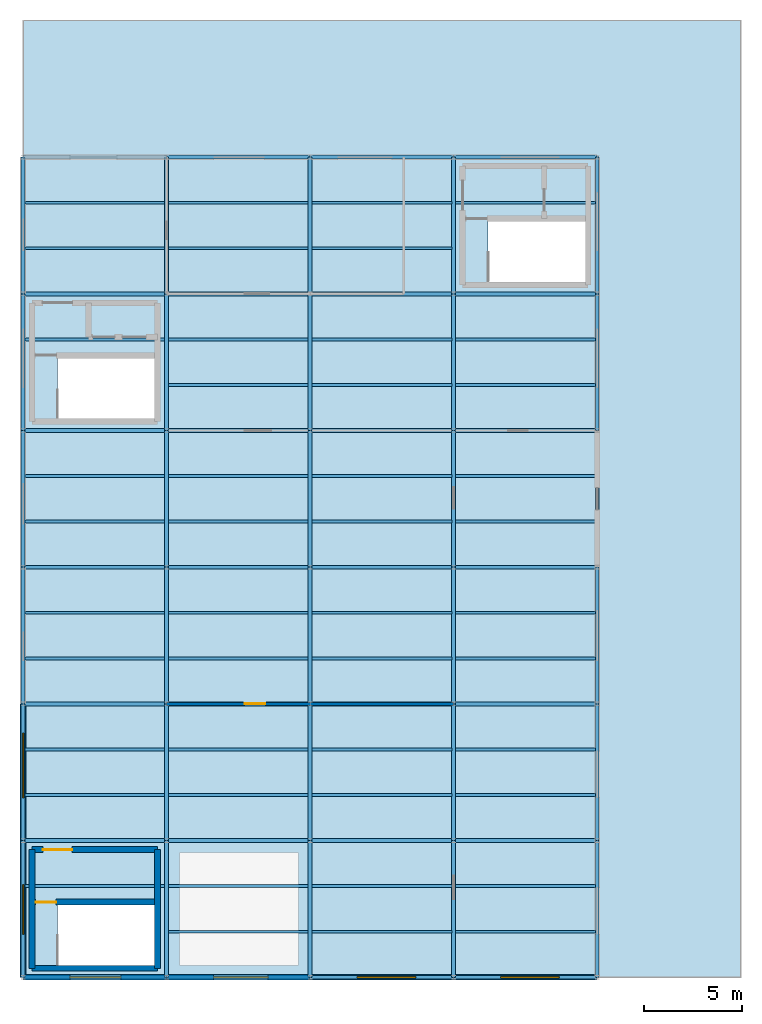
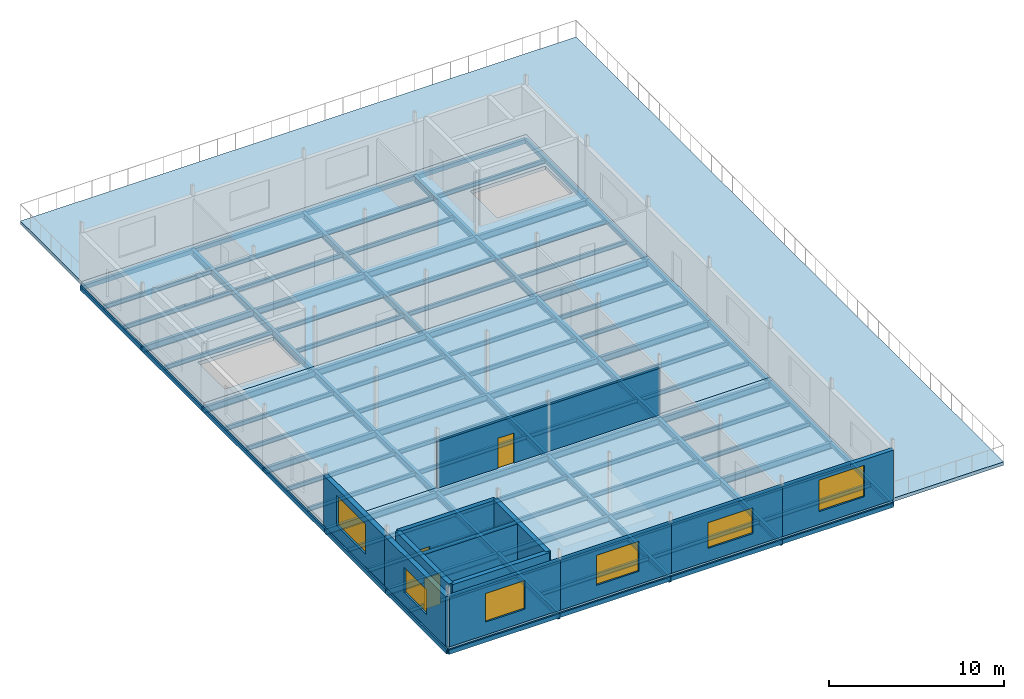
# One storey, part 7 of 10: 103 beams, 12 walls, 6 windows, 4 slabs, 3 doors, 9 openings.
"""IFC4 building model written with IfcOpenShell, lengths in metres."""

from ifc_helpers import new_model, si_unit, direction, frame, frame_2d, origin, origin_with_axes, origin_2d, place, context, subcontext, project, spatial, polyline, rectangle, hollow_rectangle, i_section, outline, extrude, material, layer, layer_set, material_profile, profile_set, type_object, element, fill, save


model = new_model("IFC4")

# Units and contexts
model_context = context("Model", 3, precision=1e-05, world=origin(), true_north=direction((0.0, 1.0)))
body_context = subcontext(model_context, "Body", "Model", "MODEL_VIEW")
ifc_project = project(units=[si_unit("LENGTHUNIT", "METRE"), si_unit("AREAUNIT", "SQUARE_METRE"), si_unit("VOLUMEUNIT", "CUBIC_METRE"), si_unit("PLANEANGLEUNIT", "RADIAN"), si_unit("MASSUNIT", "GRAM", prefix="KILO")], contexts=[model_context])

# Site, building, storey
site_placement = place(None, origin())
site = spatial("IfcSite", under=ifc_project, at=site_placement, CompositionType="ELEMENT")
building_placement = place(site_placement, origin())
building = spatial("IfcBuilding", under=site, at=building_placement, Name="Kazenagashi Tramway Depot", CompositionType="ELEMENT")
storey_placement = place(building_placement, frame((0.0, 0.0, 19.5)))
storey = spatial("IfcBuildingStorey", under=building, at=storey_placement, Name="L05", CompositionType="ELEMENT", Elevation=19.5)

# Beams
ifc_material_1 = material(Name="Steel SN490B", Category="steel")
ifc_material_profile_1 = material_profile(ifc_material_1, i_section(OverallWidth=0.199, OverallDepth=0.446, WebThickness=0.008, FlangeThickness=0.012, at=origin_2d()), Name="H-446x199x8x12")
ifc_profile_set_1 = profile_set([ifc_material_profile_1], Name="Steel SN490B")
beam_type_1 = type_object("IfcBeamType", Name="G-11", PredefinedType="BEAM", material=ifc_profile_set_1)
for number, where, z_axis, x_axis, name in (
    (1, (0.0, 7.0, -0.473), (1.0, 0.0, 0.0), (0.0, 1.0, 0.0), "Beam G-11 BM-0560"),
    (2, (7.35, 7.0, -0.473), (1.0, 0.0, 0.0), (0.0, 1.0, 0.0), "Beam G-11 BM-0561"),
    (3, (14.7, 7.0, -0.473), (1.0, 0.0, 0.0), (0.0, 1.0, 0.0), "Beam G-11 BM-0562"),
    (4, (22.05, 7.0, -0.473), (1.0, 0.0, 0.0), (0.0, 1.0, 0.0), "Beam G-11 BM-0563"),
    (5, (0.0, 14.0, -0.473), (1.0, 0.0, 0.0), (0.0, 1.0, 0.0), "Beam G-11 BM-0564"),
    (6, (7.35, 14.0, -0.473), (1.0, 0.0, 0.0), (0.0, 1.0, 0.0), "Beam G-11 BM-0565"),
    (7, (14.7, 14.0, -0.473), (1.0, 0.0, 0.0), (0.0, 1.0, 0.0), "Beam G-11 BM-0566"),
    (8, (22.05, 14.0, -0.473), (1.0, 0.0, 0.0), (0.0, 1.0, 0.0), "Beam G-11 BM-0567"),
    (9, (0.0, 21.0, -0.473), (1.0, 0.0, 0.0), (0.0, 1.0, 0.0), "Beam G-11 BM-0568"),
    (10, (7.35, 21.0, -0.473), (1.0, 0.0, 0.0), (0.0, 1.0, 0.0), "Beam G-11 BM-0569"),
    (11, (14.7, 21.0, -0.473), (1.0, 0.0, 0.0), (0.0, 1.0, 0.0), "Beam G-11 BM-0570"),
    (12, (22.05, 21.0, -0.473), (1.0, 0.0, 0.0), (0.0, 1.0, 0.0), "Beam G-11 BM-0571"),
    (13, (0.0, 28.0, -0.473), (1.0, 0.0, 0.0), (0.0, 1.0, 0.0), "Beam G-11 BM-0572"),
    (14, (7.35, 28.0, -0.473), (1.0, 0.0, 0.0), (0.0, 1.0, 0.0), "Beam G-11 BM-0573"),
    (15, (14.7, 28.0, -0.473), (1.0, 0.0, 0.0), (0.0, 1.0, 0.0), "Beam G-11 BM-0574"),
    (16, (22.05, 28.0, -0.473), (1.0, 0.0, 0.0), (0.0, 1.0, 0.0), "Beam G-11 BM-0575"),
    (17, (0.0, 35.0, -0.473), (1.0, 0.0, 0.0), (0.0, 1.0, 0.0), "Beam G-11 BM-0576"),
    (18, (7.35, 35.0, -0.473), (1.0, 0.0, 0.0), (0.0, 1.0, 0.0), "Beam G-11 BM-0577"),
    (19, (14.7, 35.0, -0.473), (1.0, 0.0, 0.0), (0.0, 1.0, 0.0), "Beam G-11 BM-0578"),
    (20, (22.05, 35.0, -0.473), (1.0, 0.0, 0.0), (0.0, 1.0, 0.0), "Beam G-11 BM-0579"),
):
    element("IfcBeam", number, at=place(storey_placement, frame(where, z_axis=z_axis, x_axis=x_axis)), inside=storey, type_object=beam_type_1, Name=name, PredefinedType="BEAM", context=body_context, shape_type="SweptSolid", body=[
        extrude(i_section(OverallWidth=0.199, OverallDepth=0.446, WebThickness=0.008, FlangeThickness=0.012, at=origin_2d()), origin(), (0.0, 0.0, 1.0), 7.35),
    ])
for number, where, z_axis, x_axis, name in (
    (21, (7.35, 0.0, -0.473), (0.0, 1.0, 0.0), (-1.0, 0.0, 0.0), "Beam G-11 BM-0600"),
    (22, (7.35, 7.0, -0.473), (0.0, 1.0, 0.0), (-1.0, 0.0, 0.0), "Beam G-11 BM-0603"),
    (23, (7.35, 14.0, -0.473), (0.0, 1.0, 0.0), (-1.0, 0.0, 0.0), "Beam G-11 BM-0606"),
    (24, (7.35, 21.0, -0.473), (0.0, 1.0, 0.0), (-1.0, 0.0, 0.0), "Beam G-11 BM-0609"),
    (25, (7.35, 28.0, -0.473), (0.0, 1.0, 0.0), (-1.0, 0.0, 0.0), "Beam G-11 BM-0612"),
    (26, (7.35, 35.0, -0.473), (0.0, 1.0, 0.0), (-1.0, 0.0, 0.0), "Beam G-11 BM-0615"),
    (27, (14.7, 0.0, -0.473), (0.0, 1.0, 0.0), (-1.0, 0.0, 0.0), "Beam G-11 BM-0618"),
    (28, (14.7, 7.0, -0.473), (0.0, 1.0, 0.0), (-1.0, 0.0, 0.0), "Beam G-11 BM-0621"),
    (29, (14.7, 14.0, -0.473), (0.0, 1.0, 0.0), (-1.0, 0.0, 0.0), "Beam G-11 BM-0624"),
    (30, (14.7, 21.0, -0.473), (0.0, 1.0, 0.0), (-1.0, 0.0, 0.0), "Beam G-11 BM-0627"),
    (31, (14.7, 28.0, -0.473), (0.0, 1.0, 0.0), (-1.0, 0.0, 0.0), "Beam G-11 BM-0630"),
    (32, (14.7, 35.0, -0.473), (0.0, 1.0, 0.0), (-1.0, 0.0, 0.0), "Beam G-11 BM-0633"),
    (33, (22.05, 0.0, -0.473), (0.0, 1.0, 0.0), (-1.0, 0.0, 0.0), "Beam G-11 BM-0636"),
    (34, (22.05, 7.0, -0.473), (0.0, 1.0, 0.0), (-1.0, 0.0, 0.0), "Beam G-11 BM-0639"),
    (35, (22.05, 14.0, -0.473), (0.0, 1.0, 0.0), (-1.0, 0.0, 0.0), "Beam G-11 BM-0642"),
    (36, (22.05, 21.0, -0.473), (0.0, 1.0, 0.0), (-1.0, 0.0, 0.0), "Beam G-11 BM-0645"),
    (37, (22.05, 28.0, -0.473), (0.0, 1.0, 0.0), (-1.0, 0.0, 0.0), "Beam G-11 BM-0648"),
    (38, (22.05, 35.0, -0.473), (0.0, 1.0, 0.0), (-1.0, 0.0, 0.0), "Beam G-11 BM-0651"),
):
    element("IfcBeam", number, at=place(storey_placement, frame(where, z_axis=z_axis, x_axis=x_axis)), inside=storey, type_object=beam_type_1, Name=name, PredefinedType="BEAM", context=body_context, shape_type="SweptSolid", body=[
        extrude(i_section(OverallWidth=0.199, OverallDepth=0.446, WebThickness=0.008, FlangeThickness=0.012, at=origin_2d()), origin(), (0.0, 0.0, 1.0), 7.0),
    ])
ifc_material_2 = material(Name="Steel SN400B", Category="steel")
ifc_material_profile_2 = material_profile(ifc_material_2, i_section(OverallWidth=0.149, OverallDepth=0.298, WebThickness=0.0055, FlangeThickness=0.008, at=origin_2d()), Name="H-298x149x5.5x8")
ifc_profile_set_2 = profile_set([ifc_material_profile_2], Name="Steel SN400B")
beam_type_2 = type_object("IfcBeamType", Name="J-07", PredefinedType="JOIST", material=ifc_profile_set_2)
for number, where, z_axis, x_axis, name in (
    (39, (0.1, 4.667, -0.399), (1.0, 0.0, 0.0), (0.0, 1.0, 0.0), "Beam J-07 BM-0585"),
    (40, (0.1, 9.333, -0.399), (1.0, 0.0, 0.0), (0.0, 1.0, 0.0), "Beam J-07 BM-0587"),
    (41, (0.1, 11.667, -0.399), (1.0, 0.0, 0.0), (0.0, 1.0, 0.0), "Beam J-07 BM-0588"),
    (42, (0.1, 16.333, -0.399), (1.0, 0.0, 0.0), (0.0, 1.0, 0.0), "Beam J-07 BM-0590"),
    (43, (0.1, 18.667, -0.399), (1.0, 0.0, 0.0), (0.0, 1.0, 0.0), "Beam J-07 BM-0591"),
    (44, (0.1, 23.333, -0.399), (1.0, 0.0, 0.0), (0.0, 1.0, 0.0), "Beam J-07 BM-0593"),
    (45, (0.1, 25.667, -0.399), (1.0, 0.0, 0.0), (0.0, 1.0, 0.0), "Beam J-07 BM-0594"),
    (46, (0.1, 32.667, -0.399), (1.0, 0.0, 0.0), (0.0, 1.0, 0.0), "Beam J-07 BM-0596"),
    (47, (0.1, 37.333, -0.399), (1.0, 0.0, 0.0), (0.0, 1.0, 0.0), "Beam J-07 BM-0598"),
    (48, (0.1, 39.667, -0.399), (1.0, 0.0, 0.0), (0.0, 1.0, 0.0), "Beam J-07 BM-0599"),
):
    element("IfcBeam", number, at=place(storey_placement, frame(where, z_axis=z_axis, x_axis=x_axis)), inside=storey, type_object=beam_type_2, Name=name, PredefinedType="JOIST", context=body_context, shape_type="SweptSolid", body=[
        extrude(i_section(OverallWidth=0.149, OverallDepth=0.298, WebThickness=0.0055, FlangeThickness=0.008, at=origin_2d()), origin(), (0.0, 0.0, 1.0), 7.151),
    ])
for number, where, z_axis, x_axis, name in (
    (49, (7.449, 2.333, -0.399), (1.0, 0.0, 0.0), (0.0, 1.0, 0.0), "Beam J-07 BM-0601"),
    (50, (7.449, 4.667, -0.399), (1.0, 0.0, 0.0), (0.0, 1.0, 0.0), "Beam J-07 BM-0602"),
    (51, (7.449, 9.333, -0.399), (1.0, 0.0, 0.0), (0.0, 1.0, 0.0), "Beam J-07 BM-0604"),
    (52, (7.449, 11.667, -0.399), (1.0, 0.0, 0.0), (0.0, 1.0, 0.0), "Beam J-07 BM-0605"),
    (53, (7.449, 16.333, -0.399), (1.0, 0.0, 0.0), (0.0, 1.0, 0.0), "Beam J-07 BM-0607"),
    (54, (7.449, 18.667, -0.399), (1.0, 0.0, 0.0), (0.0, 1.0, 0.0), "Beam J-07 BM-0608"),
    (55, (7.449, 23.333, -0.399), (1.0, 0.0, 0.0), (0.0, 1.0, 0.0), "Beam J-07 BM-0610"),
    (56, (7.449, 25.667, -0.399), (1.0, 0.0, 0.0), (0.0, 1.0, 0.0), "Beam J-07 BM-0611"),
    (57, (7.449, 30.333, -0.399), (1.0, 0.0, 0.0), (0.0, 1.0, 0.0), "Beam J-07 BM-0613"),
    (58, (7.449, 32.667, -0.399), (1.0, 0.0, 0.0), (0.0, 1.0, 0.0), "Beam J-07 BM-0614"),
    (59, (7.449, 37.333, -0.399), (1.0, 0.0, 0.0), (0.0, 1.0, 0.0), "Beam J-07 BM-0616"),
    (60, (7.449, 39.667, -0.399), (1.0, 0.0, 0.0), (0.0, 1.0, 0.0), "Beam J-07 BM-0617"),
    (61, (14.799, 2.333, -0.399), (1.0, 0.0, 0.0), (0.0, 1.0, 0.0), "Beam J-07 BM-0619"),
    (62, (14.799, 4.667, -0.399), (1.0, 0.0, 0.0), (0.0, 1.0, 0.0), "Beam J-07 BM-0620"),
    (63, (14.799, 9.333, -0.399), (1.0, 0.0, 0.0), (0.0, 1.0, 0.0), "Beam J-07 BM-0622"),
    (64, (14.799, 11.667, -0.399), (1.0, 0.0, 0.0), (0.0, 1.0, 0.0), "Beam J-07 BM-0623"),
    (65, (14.799, 16.333, -0.399), (1.0, 0.0, 0.0), (0.0, 1.0, 0.0), "Beam J-07 BM-0625"),
    (66, (14.799, 18.667, -0.399), (1.0, 0.0, 0.0), (0.0, 1.0, 0.0), "Beam J-07 BM-0626"),
    (67, (14.799, 23.333, -0.399), (1.0, 0.0, 0.0), (0.0, 1.0, 0.0), "Beam J-07 BM-0628"),
    (68, (14.799, 25.667, -0.399), (1.0, 0.0, 0.0), (0.0, 1.0, 0.0), "Beam J-07 BM-0629"),
    (69, (14.799, 30.333, -0.399), (1.0, 0.0, 0.0), (0.0, 1.0, 0.0), "Beam J-07 BM-0631"),
    (70, (14.799, 32.667, -0.399), (1.0, 0.0, 0.0), (0.0, 1.0, 0.0), "Beam J-07 BM-0632"),
    (71, (14.799, 37.333, -0.399), (1.0, 0.0, 0.0), (0.0, 1.0, 0.0), "Beam J-07 BM-0634"),
    (72, (14.799, 39.667, -0.399), (1.0, 0.0, 0.0), (0.0, 1.0, 0.0), "Beam J-07 BM-0635"),
):
    element("IfcBeam", number, at=place(storey_placement, frame(where, z_axis=z_axis, x_axis=x_axis)), inside=storey, type_object=beam_type_2, Name=name, PredefinedType="JOIST", context=body_context, shape_type="SweptSolid", body=[
        extrude(i_section(OverallWidth=0.149, OverallDepth=0.298, WebThickness=0.0055, FlangeThickness=0.008, at=origin_2d()), origin(), (0.0, 0.0, 1.0), 7.152),
    ])
for number, where, z_axis, x_axis, name in (
    (73, (22.149, 2.333, -0.399), (1.0, 0.0, 0.0), (0.0, 1.0, 0.0), "Beam J-07 BM-0637"),
    (74, (22.149, 4.667, -0.399), (1.0, 0.0, 0.0), (0.0, 1.0, 0.0), "Beam J-07 BM-0638"),
    (75, (22.149, 9.333, -0.399), (1.0, 0.0, 0.0), (0.0, 1.0, 0.0), "Beam J-07 BM-0640"),
    (76, (22.149, 11.667, -0.399), (1.0, 0.0, 0.0), (0.0, 1.0, 0.0), "Beam J-07 BM-0641"),
    (77, (22.149, 16.333, -0.399), (1.0, 0.0, 0.0), (0.0, 1.0, 0.0), "Beam J-07 BM-0643"),
    (78, (22.149, 18.667, -0.399), (1.0, 0.0, 0.0), (0.0, 1.0, 0.0), "Beam J-07 BM-0644"),
    (79, (22.149, 23.333, -0.399), (1.0, 0.0, 0.0), (0.0, 1.0, 0.0), "Beam J-07 BM-0646"),
    (80, (22.149, 25.667, -0.399), (1.0, 0.0, 0.0), (0.0, 1.0, 0.0), "Beam J-07 BM-0647"),
    (81, (22.149, 30.333, -0.399), (1.0, 0.0, 0.0), (0.0, 1.0, 0.0), "Beam J-07 BM-0649"),
    (82, (22.149, 32.667, -0.399), (1.0, 0.0, 0.0), (0.0, 1.0, 0.0), "Beam J-07 BM-0650"),
    (83, (22.149, 39.667, -0.399), (1.0, 0.0, 0.0), (0.0, 1.0, 0.0), "Beam J-07 BM-0652"),
):
    element("IfcBeam", number, at=place(storey_placement, frame(where, z_axis=z_axis, x_axis=x_axis)), inside=storey, type_object=beam_type_2, Name=name, PredefinedType="JOIST", context=body_context, shape_type="SweptSolid", body=[
        extrude(i_section(OverallWidth=0.149, OverallDepth=0.298, WebThickness=0.0055, FlangeThickness=0.008, at=origin_2d()), origin(), (0.0, 0.0, 1.0), 7.151),
    ])
ifc_material_3 = material(Name="Steel STKR490", Category="steel")
ifc_material_profile_3 = material_profile(ifc_material_3, hollow_rectangle(XDim=0.2, YDim=0.3, WallThickness=0.009, at=origin_2d()), Name="RHS-300x200x9")
ifc_profile_set_3 = profile_set([ifc_material_profile_3], Name="Steel STKR490")
beam_type_3 = type_object("IfcBeamType", Name="SP-03", PredefinedType="SPANDREL", material=ifc_profile_set_3)
for number, where, z_axis, x_axis, name in (
    (84, (0.0, 0.0, -0.4), (1.0, 0.0, 0.0), (0.0, 1.0, 0.0), "Beam SP-03 BM-0556"),
    (85, (7.35, 0.0, -0.4), (1.0, 0.0, 0.0), (0.0, 1.0, 0.0), "Beam SP-03 BM-0557"),
    (86, (14.7, 0.0, -0.4), (1.0, 0.0, 0.0), (0.0, 1.0, 0.0), "Beam SP-03 BM-0558"),
    (87, (22.05, 0.0, -0.4), (1.0, 0.0, 0.0), (0.0, 1.0, 0.0), "Beam SP-03 BM-0559"),
    (88, (0.0, 42.0, -0.4), (1.0, 0.0, 0.0), (0.0, 1.0, 0.0), "Beam SP-03 BM-0580"),
    (89, (7.35, 42.0, -0.4), (1.0, 0.0, 0.0), (0.0, 1.0, 0.0), "Beam SP-03 BM-0581"),
    (90, (14.7, 42.0, -0.4), (1.0, 0.0, 0.0), (0.0, 1.0, 0.0), "Beam SP-03 BM-0582"),
    (91, (22.05, 42.0, -0.4), (1.0, 0.0, 0.0), (0.0, 1.0, 0.0), "Beam SP-03 BM-0583"),
):
    element("IfcBeam", number, at=place(storey_placement, frame(where, z_axis=z_axis, x_axis=x_axis)), inside=storey, type_object=beam_type_3, Name=name, PredefinedType="SPANDREL", context=body_context, shape_type="SweptSolid", body=[
        extrude(hollow_rectangle(XDim=0.2, YDim=0.3, WallThickness=0.009, at=origin_2d()), origin(), (0.0, 0.0, 1.0), 7.35),
    ])
for number, where, z_axis, x_axis, name in (
    (92, (0.0, 0.0, -0.4), (0.0, 1.0, 0.0), (-1.0, 0.0, 0.0), "Beam SP-03 BM-0584"),
    (93, (0.0, 7.0, -0.4), (0.0, 1.0, 0.0), (-1.0, 0.0, 0.0), "Beam SP-03 BM-0586"),
    (94, (0.0, 14.0, -0.4), (0.0, 1.0, 0.0), (-1.0, 0.0, 0.0), "Beam SP-03 BM-0589"),
    (95, (0.0, 21.0, -0.4), (0.0, 1.0, 0.0), (-1.0, 0.0, 0.0), "Beam SP-03 BM-0592"),
    (96, (0.0, 28.0, -0.4), (0.0, 1.0, 0.0), (-1.0, 0.0, 0.0), "Beam SP-03 BM-0595"),
    (97, (0.0, 35.0, -0.4), (0.0, 1.0, 0.0), (-1.0, 0.0, 0.0), "Beam SP-03 BM-0597"),
    (98, (29.4, 0.0, -0.4), (0.0, 1.0, 0.0), (-1.0, 0.0, 0.0), "Beam SP-03 BM-0653"),
    (99, (29.4, 7.0, -0.4), (0.0, 1.0, 0.0), (-1.0, 0.0, 0.0), "Beam SP-03 BM-0654"),
    (100, (29.4, 14.0, -0.4), (0.0, 1.0, 0.0), (-1.0, 0.0, 0.0), "Beam SP-03 BM-0655"),
    (101, (29.4, 21.0, -0.4), (0.0, 1.0, 0.0), (-1.0, 0.0, 0.0), "Beam SP-03 BM-0656"),
    (102, (29.4, 28.0, -0.4), (0.0, 1.0, 0.0), (-1.0, 0.0, 0.0), "Beam SP-03 BM-0657"),
    (103, (29.4, 35.0, -0.4), (0.0, 1.0, 0.0), (-1.0, 0.0, 0.0), "Beam SP-03 BM-0658"),
):
    element("IfcBeam", number, at=place(storey_placement, frame(where, z_axis=z_axis, x_axis=x_axis)), inside=storey, type_object=beam_type_3, Name=name, PredefinedType="SPANDREL", context=body_context, shape_type="SweptSolid", body=[
        extrude(hollow_rectangle(XDim=0.2, YDim=0.3, WallThickness=0.009, at=origin_2d()), origin(), (0.0, 0.0, 1.0), 7.0),
    ])

# Slabs
ifc_material_4 = material(Name="Concrete Fc36", Category="concrete")
ifc_layer_1 = layer(ifc_material_4, 0.25)
ifc_layer_set_1 = layer_set([ifc_layer_1], Name="Concrete Fc36")
slab_type_1 = type_object("IfcSlabType", Name="SL-04", PredefinedType="FLOOR", material=ifc_layer_set_1)
slab_1_placement = place(storey_placement, frame((0.0, 0.0, -0.25)))
element("IfcSlab", 104, at=slab_1_placement, inside=storey, type_object=slab_type_1, Name="Crew Welfare L05 Slab 1 SLAB-100", PredefinedType="FLOOR", context=body_context, shape_type="SweptSolid", body=[
    extrude(outline(polyline([(0.0, 14.0), (29.4, 14.0), (29.4, 0.0), (0.0, 0.0), (0.0, 14.0)]), holes=[polyline([(6.74, 3.7), (1.76, 3.7), (1.76, 0.61), (6.74, 0.61), (6.74, 3.7)])]), origin(), (0.0, 0.0, 1.0), 0.25),
])
slab_2_placement = place(storey_placement, frame((0.0, 0.0, -0.25)))
element("IfcSlab", 105, at=slab_2_placement, inside=storey, type_object=slab_type_1, Name="Crew Welfare L05 Slab 2 SLAB-101", PredefinedType="FLOOR", context=body_context, shape_type="SweptSolid", body=[
    extrude(outline(polyline([(0.0, 14.0), (29.4, 14.0), (29.4, 28.0), (0.0, 28.0), (0.0, 14.0)])), origin(), (0.0, 0.0, 1.0), 0.25),
])
slab_3_placement = place(storey_placement, frame((0.0, 0.0, -0.25)))
element("IfcSlab", 106, at=slab_3_placement, inside=storey, type_object=slab_type_1, Name="Crew Welfare L05 Slab 3 SLAB-102", PredefinedType="FLOOR", context=body_context, shape_type="SweptSolid", body=[
    extrude(outline(polyline([(0.0, 42.0), (29.4, 42.0), (29.4, 28.0), (0.0, 28.0), (0.0, 42.0)]), holes=[polyline([(6.74, 28.61), (6.74, 31.7), (1.76, 31.7), (1.76, 28.61), (6.74, 28.61)]), polyline([(28.79, 35.61), (28.79, 38.7), (23.81, 38.7), (23.81, 35.61), (28.79, 35.61)])]), origin(), (0.0, 0.0, 1.0), 0.25),
])
ifc_layer_2 = layer(ifc_material_4, 0.24)
ifc_layer_set_2 = layer_set([ifc_layer_2], Name="Concrete Fc36")
slab_type_2 = type_object("IfcSlabType", Name="SL-09", PredefinedType="FLOOR", material=ifc_layer_set_2)
slab_4_placement = place(storey_placement, frame((0.0, 0.0, -0.24)))
element("IfcSlab", 107, at=slab_4_placement, inside=storey, type_object=slab_type_2, Name="L05 L-Shaped Crew Planted Roof Garden SLAB-103", PredefinedType="FLOOR", context=body_context, shape_type="SweptSolid", body=[
    extrude(outline(polyline([(0.0, 42.0), (29.4, 42.0), (29.4, 0.0), (36.75, 0.0), (36.75, 49.0), (0.0, 49.0), (0.0, 42.0)])), origin(), (0.0, 0.0, 1.0), 0.24),
])

# Wall, opening, window
ifc_material_5 = material(Name="Clay Brick Masonry JIS R 1250 Class 1 (20 MPa)", Category="masonry")
ifc_layer_3 = layer(ifc_material_5, 0.32)
ifc_layer_set_3 = layer_set([ifc_layer_3], Name="Clay Brick Masonry JIS R 1250 Class 1 (20 MPa)")
wall_type_1 = type_object("IfcWallType", Name="W-BK3", PredefinedType="SOLIDWALL", material=ifc_layer_set_3)
wall_1_placement = place(storey_placement, frame((0.0, 0.0, 0.0), z_axis=(0.0, 0.0, 1.0), x_axis=(0.0, 1.0, 0.0)))
wall_1 = element("IfcWall", 108, at=wall_1_placement, inside=storey, type_object=wall_type_1, Name="Exterior Brick Wall W-BK3 EWALL-0203", PredefinedType="SOLIDWALL", context=body_context, shape_type="SweptSolid", body=[
    extrude(rectangle(XDim=7.0, YDim=0.32, at=frame_2d((3.5, 0.0))), origin(), (0.0, 0.0, 1.0), 3.48),
])
opening_1_placement = place(wall_1_placement, frame((2.2, 0.0, 0.9)))
opening_1 = element("IfcOpeningElement", 109, at=opening_1_placement, cuts=wall_1, Name="Opening WN-42", PredefinedType="OPENING", context=body_context, shape_type="SweptSolid", body=[
    extrude(rectangle(XDim=2.55, YDim=1.75, at=frame_2d((1.275, 0.875))), frame((0.0, 0.17, 0.0), z_axis=(0.0, -1.0, 0.0), x_axis=(1.0, 0.0, 0.0)), (0.0, 0.0, 1.0), 0.34),
])
ifc_material_6 = material(Name="Anodised Aluminium and Tempered Low-E Glass", Category="aluminium")
window_type_1 = type_object("IfcWindowType", Name="WN-42", PartitioningType="SINGLE_PANEL", PredefinedType="WINDOW", material=ifc_material_6)
window_1_placement = place(opening_1_placement, origin())
window_1 = element("IfcWindow", 110, at=window_1_placement, inside=storey, type_object=window_type_1, Name="Window WN-42 WIN-0186", OverallHeight=1.75, OverallWidth=2.55, PartitioningType="SINGLE_PANEL", PredefinedType="WINDOW", context=body_context, shape_type="SweptSolid", body=[
    extrude(rectangle(XDim=2.55, YDim=1.75, at=frame_2d((1.275, 0.875))), frame((0.0, 0.03, 0.0), z_axis=(0.0, -1.0, 0.0), x_axis=(1.0, 0.0, 0.0)), (0.0, 0.0, 1.0), 0.06),
])
fill(opening_1, window_1)

wall_2_placement = place(storey_placement, frame((0.0, 7.0, 0.0), z_axis=(0.0, 0.0, 1.0), x_axis=(0.0, 1.0, 0.0)))
wall_2 = element("IfcWall", 111, at=wall_2_placement, inside=storey, type_object=wall_type_1, Name="Exterior Brick Wall W-BK3 EWALL-0208", PredefinedType="SOLIDWALL", context=body_context, shape_type="SweptSolid", body=[
    extrude(rectangle(XDim=7.0, YDim=0.32, at=frame_2d((3.5, 0.0))), origin(), (0.0, 0.0, 1.0), 3.48),
])
opening_2_placement = place(wall_2_placement, frame((2.2, 0.0, 0.9)))
opening_2 = element("IfcOpeningElement", 112, at=opening_2_placement, cuts=wall_2, Name="Opening WN-47", PredefinedType="OPENING", context=body_context, shape_type="SweptSolid", body=[
    extrude(rectangle(XDim=3.3, YDim=2.1, at=frame_2d((1.65, 1.05))), frame((0.0, 0.17, 0.0), z_axis=(0.0, -1.0, 0.0), x_axis=(1.0, 0.0, 0.0)), (0.0, 0.0, 1.0), 0.34),
])
window_type_2 = type_object("IfcWindowType", Name="WN-47", PartitioningType="SINGLE_PANEL", PredefinedType="WINDOW", material=ifc_material_6)
window_2_placement = place(opening_2_placement, origin())
window_2 = element("IfcWindow", 113, at=window_2_placement, inside=storey, type_object=window_type_2, Name="Window WN-47 WIN-0191", OverallHeight=2.1, OverallWidth=3.3, PartitioningType="SINGLE_PANEL", PredefinedType="WINDOW", context=body_context, shape_type="SweptSolid", body=[
    extrude(rectangle(XDim=3.3, YDim=2.1, at=frame_2d((1.65, 1.05))), frame((0.0, 0.03, 0.0), z_axis=(0.0, -1.0, 0.0), x_axis=(1.0, 0.0, 0.0)), (0.0, 0.0, 1.0), 0.06),
])
fill(opening_2, window_2)

ifc_layer_4 = layer(ifc_material_5, 0.28)
ifc_layer_set_4 = layer_set([ifc_layer_4], Name="Clay Brick Masonry JIS R 1250 Class 1 (20 MPa)")
wall_type_2 = type_object("IfcWallType", Name="W-BK5", PredefinedType="SOLIDWALL", material=ifc_layer_set_4)
wall_3_placement = place(storey_placement, origin_with_axes())
wall_3 = element("IfcWall", 114, at=wall_3_placement, inside=storey, type_object=wall_type_2, Name="Exterior Brick Wall W-BK5 EWALL-0270", PredefinedType="SOLIDWALL", context=body_context, shape_type="SweptSolid", body=[
    extrude(rectangle(XDim=7.35, YDim=0.28, at=frame_2d((3.675, 0.0))), origin(), (0.0, 0.0, 1.0), 3.48),
])
opening_3_placement = place(wall_3_placement, frame((2.4, 0.0, 0.9)))
opening_3 = element("IfcOpeningElement", 115, at=opening_3_placement, cuts=wall_3, Name="Opening WN-11", PredefinedType="OPENING", context=body_context, shape_type="SweptSolid", body=[
    extrude(rectangle(XDim=2.6, YDim=2.0, at=frame_2d((1.3, 1.0))), frame((0.0, 0.15, 0.0), z_axis=(0.0, -1.0, 0.0), x_axis=(1.0, 0.0, 0.0)), (0.0, 0.0, 1.0), 0.3),
])
window_type_3 = type_object("IfcWindowType", Name="WN-11", PartitioningType="SINGLE_PANEL", PredefinedType="WINDOW", material=ifc_material_6)
window_3_placement = place(opening_3_placement, origin())
window_3 = element("IfcWindow", 116, at=window_3_placement, inside=storey, type_object=window_type_3, Name="Window WN-11 WIN-0238", OverallHeight=2.0, OverallWidth=2.6, PartitioningType="SINGLE_PANEL", PredefinedType="WINDOW", context=body_context, shape_type="SweptSolid", body=[
    extrude(rectangle(XDim=2.6, YDim=2.0, at=frame_2d((1.3, 1.0))), frame((0.0, 0.03, 0.0), z_axis=(0.0, -1.0, 0.0), x_axis=(1.0, 0.0, 0.0)), (0.0, 0.0, 1.0), 0.06),
])
fill(opening_3, window_3)

wall_4_placement = place(storey_placement, frame((7.35, 0.0, 0.0), z_axis=(0.0, 0.0, 1.0), x_axis=(1.0, 0.0, 0.0)))
wall_4 = element("IfcWall", 117, at=wall_4_placement, inside=storey, type_object=wall_type_2, Name="Exterior Brick Wall W-BK5 EWALL-0272", PredefinedType="SOLIDWALL", context=body_context, shape_type="SweptSolid", body=[
    extrude(rectangle(XDim=7.35, YDim=0.28, at=frame_2d((3.675, 0.0))), origin(), (0.0, 0.0, 1.0), 3.48),
])
opening_4_placement = place(wall_4_placement, frame((2.4, 0.0, 0.9)))
opening_4 = element("IfcOpeningElement", 118, at=opening_4_placement, cuts=wall_4, Name="Opening WN-12", PredefinedType="OPENING", context=body_context, shape_type="SweptSolid", body=[
    extrude(rectangle(XDim=2.8, YDim=2.1, at=frame_2d((1.4, 1.05))), frame((0.0, 0.15, 0.0), z_axis=(0.0, -1.0, 0.0), x_axis=(1.0, 0.0, 0.0)), (0.0, 0.0, 1.0), 0.3),
])
window_type_4 = type_object("IfcWindowType", Name="WN-12", PartitioningType="SINGLE_PANEL", PredefinedType="WINDOW", material=ifc_material_6)
window_4_placement = place(opening_4_placement, origin())
window_4 = element("IfcWindow", 119, at=window_4_placement, inside=storey, type_object=window_type_4, Name="Window WN-12 WIN-0240", OverallHeight=2.1, OverallWidth=2.8, PartitioningType="SINGLE_PANEL", PredefinedType="WINDOW", context=body_context, shape_type="SweptSolid", body=[
    extrude(rectangle(XDim=2.8, YDim=2.1, at=frame_2d((1.4, 1.05))), frame((0.0, 0.03, 0.0), z_axis=(0.0, -1.0, 0.0), x_axis=(1.0, 0.0, 0.0)), (0.0, 0.0, 1.0), 0.06),
])
fill(opening_4, window_4)

wall_5_placement = place(storey_placement, frame((14.7, 0.0, 0.0), z_axis=(0.0, 0.0, 1.0), x_axis=(1.0, 0.0, 0.0)))
wall_5 = element("IfcWall", 120, at=wall_5_placement, inside=storey, type_object=wall_type_2, Name="Exterior Brick Wall W-BK5 EWALL-0274", PredefinedType="SOLIDWALL", context=body_context, shape_type="SweptSolid", body=[
    extrude(rectangle(XDim=7.35, YDim=0.28, at=frame_2d((3.675, 0.0))), origin(), (0.0, 0.0, 1.0), 3.48),
])
opening_5_placement = place(wall_5_placement, frame((2.4, 0.0, 0.9)))
opening_5 = element("IfcOpeningElement", 121, at=opening_5_placement, cuts=wall_5, Name="Opening WN-13", PredefinedType="OPENING", context=body_context, shape_type="SweptSolid", body=[
    extrude(rectangle(XDim=3.0, YDim=1.8, at=frame_2d((1.5, 0.9))), frame((0.0, 0.15, 0.0), z_axis=(0.0, -1.0, 0.0), x_axis=(1.0, 0.0, 0.0)), (0.0, 0.0, 1.0), 0.3),
])
window_type_5 = type_object("IfcWindowType", Name="WN-13", PartitioningType="SINGLE_PANEL", PredefinedType="WINDOW", material=ifc_material_6)
window_5_placement = place(opening_5_placement, origin())
window_5 = element("IfcWindow", 122, at=window_5_placement, inside=storey, type_object=window_type_5, Name="Window WN-13 WIN-0242", OverallHeight=1.8, OverallWidth=3.0, PartitioningType="SINGLE_PANEL", PredefinedType="WINDOW", context=body_context, shape_type="SweptSolid", body=[
    extrude(rectangle(XDim=3.0, YDim=1.8, at=frame_2d((1.5, 0.9))), frame((0.0, 0.03, 0.0), z_axis=(0.0, -1.0, 0.0), x_axis=(1.0, 0.0, 0.0)), (0.0, 0.0, 1.0), 0.06),
])
fill(opening_5, window_5)

wall_6_placement = place(storey_placement, frame((22.05, 0.0, 0.0), z_axis=(0.0, 0.0, 1.0), x_axis=(1.0, 0.0, 0.0)))
wall_6 = element("IfcWall", 123, at=wall_6_placement, inside=storey, type_object=wall_type_2, Name="Exterior Brick Wall W-BK5 EWALL-0276", PredefinedType="SOLIDWALL", context=body_context, shape_type="SweptSolid", body=[
    extrude(rectangle(XDim=7.35, YDim=0.28, at=frame_2d((3.675, 0.0))), origin(), (0.0, 0.0, 1.0), 3.48),
])
opening_6_placement = place(wall_6_placement, frame((2.4, 0.0, 0.9)))
opening_6 = element("IfcOpeningElement", 124, at=opening_6_placement, cuts=wall_6, Name="Opening WN-14", PredefinedType="OPENING", context=body_context, shape_type="SweptSolid", body=[
    extrude(rectangle(XDim=3.0, YDim=2.2, at=frame_2d((1.5, 1.1))), frame((0.0, 0.15, 0.0), z_axis=(0.0, -1.0, 0.0), x_axis=(1.0, 0.0, 0.0)), (0.0, 0.0, 1.0), 0.3),
])
window_type_6 = type_object("IfcWindowType", Name="WN-14", PartitioningType="SINGLE_PANEL", PredefinedType="WINDOW", material=ifc_material_6)
window_6_placement = place(opening_6_placement, origin())
window_6 = element("IfcWindow", 125, at=window_6_placement, inside=storey, type_object=window_type_6, Name="Window WN-14 WIN-0244", OverallHeight=2.2, OverallWidth=3.0, PartitioningType="SINGLE_PANEL", PredefinedType="WINDOW", context=body_context, shape_type="SweptSolid", body=[
    extrude(rectangle(XDim=3.0, YDim=2.2, at=frame_2d((1.5, 1.1))), frame((0.0, 0.03, 0.0), z_axis=(0.0, -1.0, 0.0), x_axis=(1.0, 0.0, 0.0)), (0.0, 0.0, 1.0), 0.06),
])
fill(opening_6, window_6)

# Wall, opening, door
ifc_material_7 = material(Name="Gypsum Plasterboard Partition", Category="gypsum")
ifc_layer_5 = layer(ifc_material_7, 0.165)
ifc_layer_set_5 = layer_set([ifc_layer_5], Name="Gypsum Plasterboard Partition")
wall_type_3 = type_object("IfcWallType", Name="W-PT7", PredefinedType="PARTITIONING", material=ifc_layer_set_5)
wall_7_placement = place(storey_placement, frame((7.35, 14.0, 0.0), z_axis=(0.0, 0.0, 1.0), x_axis=(1.0, 0.0, 0.0)))
wall_7 = element("IfcWall", 126, at=wall_7_placement, inside=storey, type_object=wall_type_3, Name="Interior Partition W-PT7 IWALL-0289", PredefinedType="PARTITIONING", context=body_context, shape_type="SweptSolid", body=[
    extrude(rectangle(XDim=14.7, YDim=0.165, at=frame_2d((7.35, 0.0))), origin(), (0.0, 0.0, 1.0), 3.25),
])
opening_7_placement = place(wall_7_placement, frame((4.0, 0.0, 0.0)))
opening_7 = element("IfcOpeningElement", 127, at=opening_7_placement, cuts=wall_7, Name="Opening D-203", PredefinedType="OPENING", context=body_context, shape_type="SweptSolid", body=[
    extrude(rectangle(XDim=1.05, YDim=2.1, at=frame_2d((0.525, 1.05))), frame((0.0, 0.0925, 0.0), z_axis=(0.0, -1.0, 0.0), x_axis=(1.0, 0.0, 0.0)), (0.0, 0.0, 1.0), 0.185),
])
ifc_material_8 = material(Name="Acoustic Fire-Rated Timber-Core Door", Category="wood")
door_type_1 = type_object("IfcDoorType", Name="DT-21", OperationType="NOTDEFINED", PredefinedType="DOOR", material=ifc_material_8)
door_1_placement = place(opening_7_placement, origin())
door_1 = element("IfcDoor", 128, at=door_1_placement, inside=storey, type_object=door_type_1, Name="Interior Door D-203", OperationType="SINGLE_SWING_RIGHT", OverallHeight=2.1, OverallWidth=1.05, PredefinedType="DOOR", context=body_context, shape_type="SweptSolid", body=[
    extrude(rectangle(XDim=1.05, YDim=2.1, at=frame_2d((0.525, 1.05))), frame((0.0, 0.025, 0.0), z_axis=(0.0, -1.0, 0.0), x_axis=(1.0, 0.0, 0.0)), (0.0, 0.0, 1.0), 0.05),
])
fill(opening_7, door_1)

# Wall
ifc_layer_6 = layer(ifc_material_4, 0.3)
ifc_layer_set_6 = layer_set([ifc_layer_6], Name="Concrete Fc36")
wall_type_4 = type_object("IfcWallType", Name="W-RC1", PredefinedType="SHEAR", material=ifc_layer_set_6)
wall_8_placement = place(storey_placement, frame((0.46, 0.46, 0.0), z_axis=(0.0, 0.0, 1.0), x_axis=(1.0, 0.0, 0.0)))
element("IfcWall", 129, at=wall_8_placement, inside=storey, type_object=wall_type_4, Name="Core Shear Wall W-RC1 IWALL-0118", PredefinedType="SHEAR", context=body_context, shape_type="SweptSolid", body=[
    extrude(rectangle(XDim=6.43, YDim=0.3, at=frame_2d((3.215, 0.0))), origin(), (0.0, 0.0, 1.0), 3.92),
])

# Wall, opening, door
wall_9_placement = place(storey_placement, frame((0.46, 6.54, 0.0), z_axis=(0.0, 0.0, 1.0), x_axis=(1.0, 0.0, 0.0)))
wall_9 = element("IfcWall", 130, at=wall_9_placement, inside=storey, type_object=wall_type_4, Name="Core Shear Wall W-RC1 IWALL-0119", PredefinedType="SHEAR", context=body_context, shape_type="SweptSolid", body=[
    extrude(rectangle(XDim=6.43, YDim=0.3, at=frame_2d((3.215, 0.0))), origin(), (0.0, 0.0, 1.0), 3.92),
])
opening_8_placement = place(wall_9_placement, frame((0.55, 0.0, 0.0)))
opening_8 = element("IfcOpeningElement", 131, at=opening_8_placement, cuts=wall_9, Name="Opening D-088", PredefinedType="OPENING", context=body_context, shape_type="SweptSolid", body=[
    extrude(rectangle(XDim=1.5, YDim=2.2, at=frame_2d((0.75, 1.1))), frame((0.0, 0.16, 0.0), z_axis=(0.0, -1.0, 0.0), x_axis=(1.0, 0.0, 0.0)), (0.0, 0.0, 1.0), 0.32),
])
ifc_material_9 = material(Name="Galvanised Fire-Rated Steel Door", Category="steel")
door_type_2 = type_object("IfcDoorType", Name="DT-05", OperationType="NOTDEFINED", PredefinedType="DOOR", material=ifc_material_9)
door_2_placement = place(opening_8_placement, origin())
door_2 = element("IfcDoor", 132, at=door_2_placement, inside=storey, type_object=door_type_2, Name="Interior Door D-088", OperationType="DOUBLE_DOOR_SINGLE_SWING", OverallHeight=2.2, OverallWidth=1.5, PredefinedType="DOOR", context=body_context, shape_type="SweptSolid", body=[
    extrude(rectangle(XDim=1.5, YDim=2.2, at=frame_2d((0.75, 1.1))), frame((0.0, 0.025, 0.0), z_axis=(0.0, -1.0, 0.0), x_axis=(1.0, 0.0, 0.0)), (0.0, 0.0, 1.0), 0.05),
])
fill(opening_8, door_2)

# Walls
for number, where, z_axis, x_axis, name in (
    (133, (0.46, 0.46, 0.0), (0.0, 0.0, 1.0), (0.0, 1.0, 0.0), "Core Shear Wall W-RC1 IWALL-0120"),
    (134, (6.89, 0.46, 0.0), (0.0, 0.0, 1.0), (0.0, 1.0, 0.0), "Core Shear Wall W-RC1 IWALL-0121"),
):
    element("IfcWall", number, at=place(storey_placement, frame(where, z_axis=z_axis, x_axis=x_axis)), inside=storey, type_object=wall_type_4, Name=name, PredefinedType="SHEAR", context=body_context, shape_type="SweptSolid", body=[
        extrude(rectangle(XDim=6.08, YDim=0.3, at=frame_2d((3.04, 0.0))), origin(), (0.0, 0.0, 1.0), 3.92),
    ])

# Wall, opening, door
wall_10_placement = place(storey_placement, frame((0.46, 3.85, 0.0), z_axis=(0.0, 0.0, 1.0), x_axis=(1.0, 0.0, 0.0)))
wall_10 = element("IfcWall", 135, at=wall_10_placement, inside=storey, type_object=wall_type_4, Name="Core Shear Wall W-RC1 IWALL-0122", PredefinedType="SHEAR", context=body_context, shape_type="SweptSolid", body=[
    extrude(rectangle(XDim=6.43, YDim=0.3, at=frame_2d((3.215, 0.0))), origin(), (0.0, 0.0, 1.0), 3.92),
])
opening_9_placement = place(wall_10_placement, frame((0.185, 0.0, 0.0)))
opening_9 = element("IfcOpeningElement", 136, at=opening_9_placement, cuts=wall_10, Name="Opening D-087", PredefinedType="OPENING", context=body_context, shape_type="SweptSolid", body=[
    extrude(rectangle(XDim=1.05, YDim=2.15, at=frame_2d((0.525, 1.075))), frame((0.0, 0.16, 0.0), z_axis=(0.0, -1.0, 0.0), x_axis=(1.0, 0.0, 0.0)), (0.0, 0.0, 1.0), 0.32),
])
door_type_3 = type_object("IfcDoorType", Name="DT-07", OperationType="NOTDEFINED", PredefinedType="DOOR", material=ifc_material_9)
door_3_placement = place(opening_9_placement, origin())
door_3 = element("IfcDoor", 137, at=door_3_placement, inside=storey, type_object=door_type_3, Name="Interior Door D-087", OperationType="SINGLE_SWING_RIGHT", OverallHeight=2.15, OverallWidth=1.05, PredefinedType="DOOR", context=body_context, shape_type="SweptSolid", body=[
    extrude(rectangle(XDim=1.05, YDim=2.15, at=frame_2d((0.525, 1.075))), frame((0.0, 0.025, 0.0), z_axis=(0.0, -1.0, 0.0), x_axis=(1.0, 0.0, 0.0)), (0.0, 0.0, 1.0), 0.05),
])
fill(opening_9, door_3)

save(model, "model.ifc")
